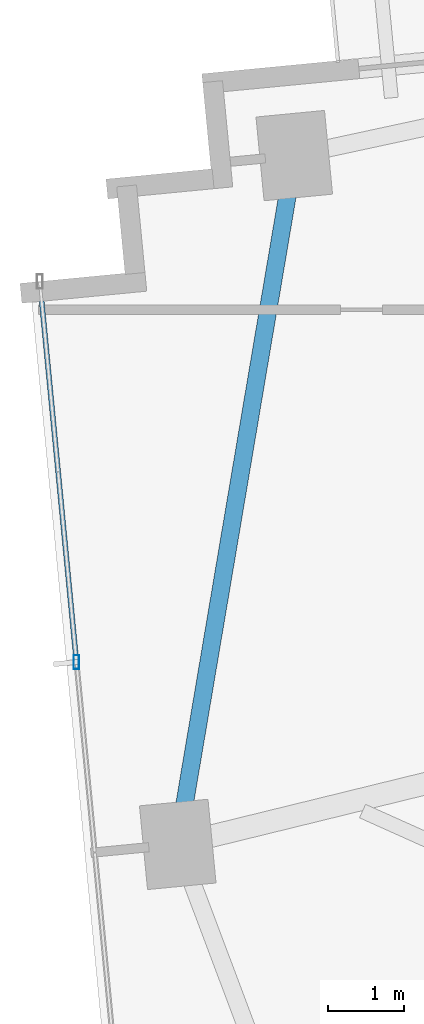
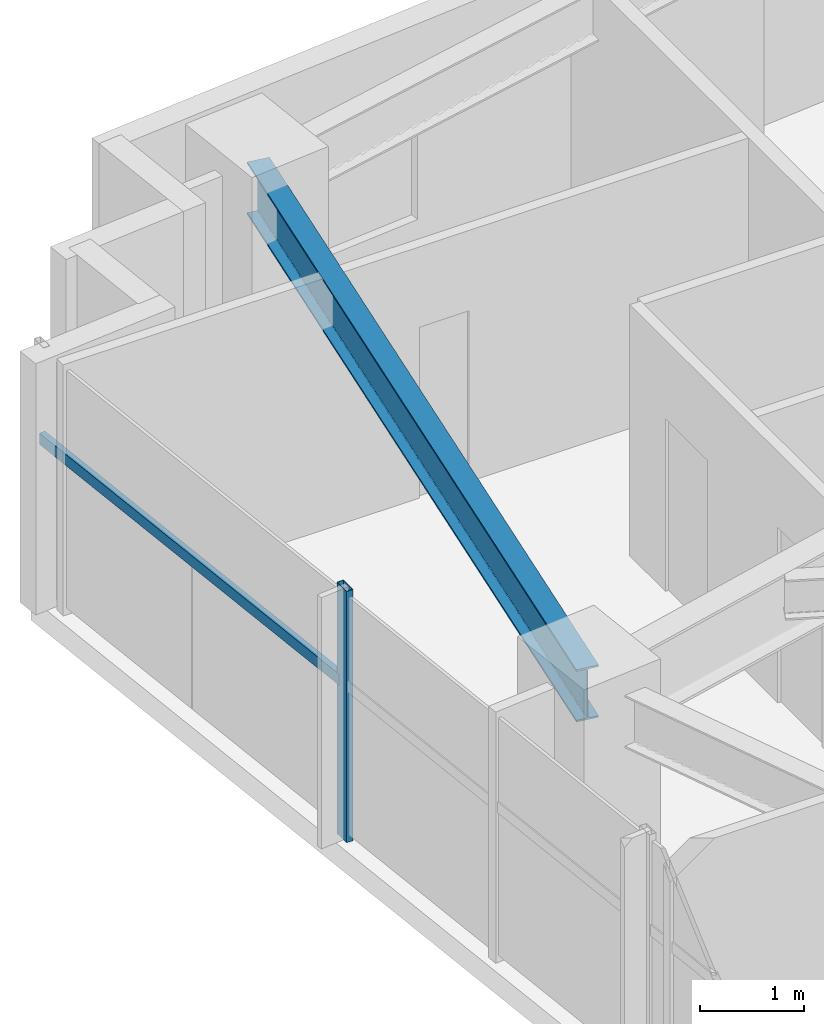
# One storey, part 4 of 27: 2 members, 1 beam, 1 element without a shape of its own.
"""IFC4 building model written with IfcOpenShell, lengths in metres."""

from ifc_helpers import new_model, si_unit, direction, frame, origin, origin_2d, place, context, subcontext, project, spatial, hollow_rectangle, i_section, extrude, source, transform, mapped, material, material_profile, profile_set, type_object, type_shapes, element, aggregate, save


model = new_model("IFC4")

# Units and contexts
model_context = context("Model", 3, precision=1e-05, world=origin(), true_north=direction((0.0, 1.0)))
body_context = subcontext(model_context, "Body", "Model", "MODEL_VIEW")
ifc_project = project(units=[si_unit("LENGTHUNIT", "METRE"), si_unit("AREAUNIT", "SQUARE_METRE"), si_unit("VOLUMEUNIT", "CUBIC_METRE"), si_unit("PLANEANGLEUNIT", "RADIAN"), si_unit("MASSUNIT", "GRAM", prefix="KILO")], contexts=[model_context])

# Site, building, storey
site_placement = place(None, origin())
site = spatial("IfcSite", under=ifc_project, at=site_placement, CompositionType="ELEMENT")
building_placement = place(site_placement, origin())
building = spatial("IfcBuilding", under=site, at=building_placement, Name="Astriad Promenade Condominiums", CompositionType="ELEMENT")
storey_placement = place(building_placement, frame((0.0, 0.0, 97.0)))
storey = spatial("IfcBuildingStorey", under=building, at=storey_placement, Name="L27", CompositionType="ELEMENT", Elevation=97.0)

# Beam
ifc_material_1 = material(Name="Steel ASTM A992 Grade 50", Category="steel")
ifc_material_profile_1 = material_profile(ifc_material_1, i_section(OverallWidth=0.22900390625, OverallDepth=0.612060546875, WebThickness=0.011962890625, FlangeThickness=0.01953125, FilletRadius=0.017822265625, at=origin_2d()), Name="W24X84")
ifc_profile_set_1 = profile_set([ifc_material_profile_1], Name="Steel ASTM A992 Grade 50")
beam_type = type_object("IfcBeamType", Name="STEEL SPANDREL BEAM W24X84", PredefinedType="SPANDREL", material=ifc_profile_set_1)
shared_shape_1 = source(origin(), body_context, "Body", "SweptSolid", [
    extrude(i_section(OverallWidth=0.22900390625, OverallDepth=0.612060546875, WebThickness=0.011962890625, FlangeThickness=0.01953125, FilletRadius=0.017822265625, at=origin_2d()), origin(), (0.0, 0.0, 1.0), 9.055419921875),
])
type_shapes(beam_type, [shared_shape_1])
beam_placement = place(storey_placement, frame((12.2685546875, 22.52880859375, 2.6337890625), z_axis=(-0.166776851291, -0.98599466625, 0.0), x_axis=(0.98599466625, -0.166776851291, 0.0)))
element("IfcBeam", 1, at=beam_placement, inside=storey, type_object=beam_type, Name="Perimeter Spandrel Beam SP-W2-L27", PredefinedType="SPANDREL", context=body_context, shape_type="MappedRepresentation", body=[
    mapped(shared_shape_1, transform((0.0, 0.0, 0.0), scale=1.0)),
])

# Curtain wall, members
ifc_material_2 = material(Name="Anodised aluminium Black Dark Glass Unitised", Category="aluminium")
curtain_wall_type = type_object("IfcCurtainWallType", Name="CW-B2-DARK", PredefinedType="USERDEFINED", material=ifc_material_2)
curtain_wall_placement = place(storey_placement, origin())
curtain_wall = element("IfcCurtainWall", 2, at=curtain_wall_placement, inside=storey, type_object=curtain_wall_type, Name="CW-L27-W", ObjectType="UNITISED_CURTAIN_WALL", PredefinedType="USERDEFINED")
ifc_material_3 = material(Name="Anodised aluminium 6063-T6 Black", Category="aluminium")
ifc_material_profile_2 = material_profile(ifc_material_3, hollow_rectangle(XDim=0.074951171875, YDim=0.18505859375, WallThickness=0.00439453125, at=origin_2d()), Name="ALU-MUL-75X185")
ifc_profile_set_2 = profile_set([ifc_material_profile_2], Name="Anodised aluminium 6063-T6 Black")
member_type_1 = type_object("IfcMemberType", Name="MUL-ALU-MUL-75X185", PredefinedType="MULLION", material=ifc_profile_set_2)
shared_shape_2 = source(origin(), body_context, "Body", "SweptSolid", [
    extrude(hollow_rectangle(XDim=0.074951171875, YDim=0.18505859375, WallThickness=0.00439453125, at=origin_2d()), origin(), (0.0, 0.0, 1.0), 2.93994140625),
])
type_shapes(member_type_1, [shared_shape_2])
member_1_placement = place(storey_placement, frame((9.427001953125, 15.94482421875, 0.0), z_axis=(0.0, 0.0, 1.0), x_axis=(1.0, 0.0, 0.0)))
member_1 = element("IfcMember", 3, at=member_1_placement, type_object=member_type_1, Name="CW-L27-W-MUL-02", PredefinedType="MULLION", context=body_context, shape_type="MappedRepresentation", body=[
    mapped(shared_shape_2, transform((0.0, 0.0, 0.0), scale=1.0)),
])
ifc_material_profile_3 = material_profile(ifc_material_3, hollow_rectangle(XDim=0.06494140625, YDim=0.1298828125, WallThickness=0.00390625, at=origin_2d()), Name="ALU-TRN-65X130")
ifc_profile_set_3 = profile_set([ifc_material_profile_3], Name="Anodised aluminium 6063-T6 Black")
member_type_2 = type_object("IfcMemberType", Name="TRN-ALU-TRN-65X130", PredefinedType="USERDEFINED", material=ifc_profile_set_3)
shared_shape_3 = source(origin(), body_context, "Body", "SweptSolid", [
    extrude(hollow_rectangle(XDim=0.06494140625, YDim=0.1298828125, WallThickness=0.00390625, at=origin_2d()), origin(), (0.0, 0.0, 1.0), 5.0),
])
type_shapes(member_type_2, [shared_shape_3])
member_2_placement = place(storey_placement, frame((9.427001953125, 15.94482421875, 1.82275390625), z_axis=(-0.095848242264, 0.995395958629, 0.0), x_axis=(-0.995395958629, -0.095848242264, 0.0)))
member_2 = element("IfcMember", 4, at=member_2_placement, type_object=member_type_2, Name="CW-L27-W-TRN-02-0", ObjectType="TRANSOM", PredefinedType="USERDEFINED", context=body_context, shape_type="MappedRepresentation", body=[
    mapped(shared_shape_3, transform((0.0, 0.0, 0.0), scale=1.0)),
])
aggregate(curtain_wall, [member_1, member_2])

save(model, "model.ifc")
